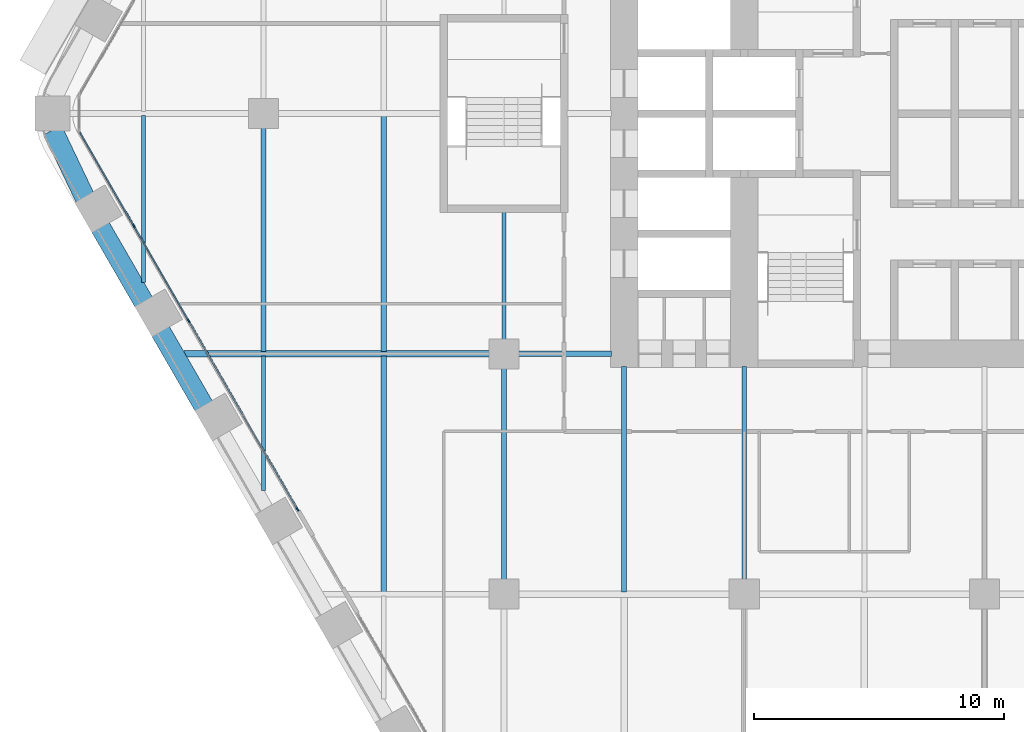
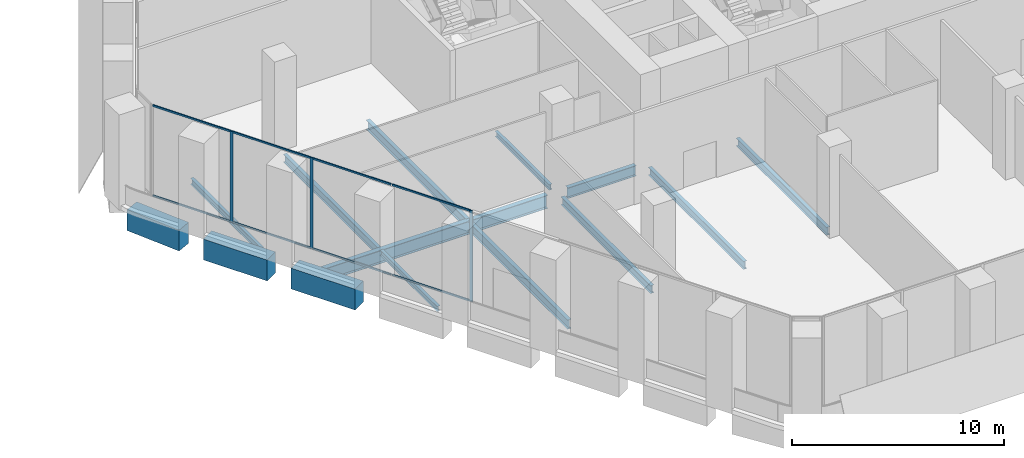
# One storey, part 3 of 30: 14 beams, 11 members, 1 element without a shape of its own.
"""IFC4 building model written with IfcOpenShell, lengths in metres."""

import ifcopenshell
import ifcopenshell.guid

model = None  # the IFC model being written
_history = None  # IfcOwnerHistory: only IFC2X3 demands one
_inside = {}  # id of a spatial element -> (the spatial element, [elements in it])
_under = {}  # id of a project, library or spatial element -> (it, [spatial elements below it])
_declared = {}  # id of a project -> (the project, [libraries it declares])
_typed = {}  # id of a type object -> (the type object, [elements of that type])
_made_of = {}  # id of a material, layer set ... -> (it, [elements and type objects made of it])


def new_model(schema):
    """Start an empty IFC model of exactly this schema.

    Asked for "IFC4X3", IfcOpenShell would pick the latest addendum, in which some entities
    have other attributes; the version numbers below select the first issue.
    IFC2X3 requires an IfcOwnerHistory on every rooted entity: one is made here for all.
    """
    global model, _history
    if schema == "IFC4X3":
        model = ifcopenshell.file(schema_version=(4, 3, 0, 0))
    else:
        model = ifcopenshell.file(schema=schema)
    _inside.clear()
    _under.clear()
    _declared.clear()
    _typed.clear()
    _made_of.clear()
    _history = None
    if model.schema == "IFC2X3":
        org = make("IfcOrganization", Name="unknown")
        user = make(
            "IfcPersonAndOrganization",
            ThePerson=make("IfcPerson", FamilyName="unknown"),
            TheOrganization=org,
        )
        app = make(
            "IfcApplication",
            ApplicationDeveloper=org,
            Version="unknown",
            ApplicationFullName="unknown",
            ApplicationIdentifier="unknown",
        )
        _history = make(
            "IfcOwnerHistory",
            OwningUser=user,
            OwningApplication=app,
            ChangeAction="ADDED",
            CreationDate=0,
        )
    return model


def make(cls, **values):
    """One entity of the class cls with the attributes given. An attribute that is None is left unset."""
    return model.create_entity(
        cls, **{name: value for name, value in values.items() if value is not None}
    )


def rooted(cls, **values):
    """An entity with a GlobalId (a new one), such as an element, a storey or a relation."""
    return make(cls, GlobalId=ifcopenshell.guid.new(), OwnerHistory=_history, **values)


def si_unit(unit_type, name, prefix=None):
    """IfcSIUnit, for example si_unit("LENGTHUNIT", "METRE", prefix="MILLI")."""
    return make("IfcSIUnit", UnitType=unit_type, Prefix=prefix, Name=name)


def assignment(units):
    """IfcUnitAssignment: the units of a project."""
    return None if units is None else make("IfcUnitAssignment", Units=units)


def point(xyz):
    """IfcCartesianPoint."""
    return None if xyz is None else make("IfcCartesianPoint", Coordinates=xyz)


def direction(xyz):
    """IfcDirection."""
    return None if xyz is None else make("IfcDirection", DirectionRatios=xyz)


def frame(location, z_axis=None, x_axis=None):
    """IfcAxis2Placement3D, a coordinate frame: its origin and axes. An axis left out is left unset."""
    return make(
        "IfcAxis2Placement3D",
        Location=point(location),
        Axis=direction(z_axis),
        RefDirection=direction(x_axis),
    )


def frame_2d(location, x_axis=None):
    """IfcAxis2Placement2D, a coordinate frame in the plane: its origin and x axis."""
    return make(
        "IfcAxis2Placement2D", Location=point(location), RefDirection=direction(x_axis)
    )


def origin():
    """The frame at (0, 0, 0) with its axes left unset."""
    return frame((0.0, 0.0, 0.0))


def origin_2d():
    """The frame at (0, 0) in the plane with its x axis left unset."""
    return frame_2d((0.0, 0.0))


def place(relative_to, where):
    """IfcLocalPlacement: puts the frame where relative to a parent placement (None: the world)."""
    return make(
        "IfcLocalPlacement", PlacementRelTo=relative_to, RelativePlacement=where
    )


def context(
    kind, dimensions, precision=None, world=None, true_north=None, identifier=None
):
    """IfcGeometricRepresentationContext, for example the 3D "Model" context."""
    return make(
        "IfcGeometricRepresentationContext",
        ContextIdentifier=identifier,
        ContextType=kind,
        CoordinateSpaceDimension=dimensions,
        Precision=precision,
        WorldCoordinateSystem=world,
        TrueNorth=true_north,
    )


def subcontext(parent, identifier, kind, view, scale=None):
    """IfcGeometricRepresentationSubContext, for example "Body" below "Model"."""
    return make(
        "IfcGeometricRepresentationSubContext",
        ContextIdentifier=identifier,
        ContextType=kind,
        ParentContext=parent,
        TargetScale=scale,
        TargetView=view,
    )


def project(units=None, contexts=None):
    """IfcProject with its units and contexts."""
    return rooted(
        "IfcProject",
        Name="project",
        RepresentationContexts=contexts,
        UnitsInContext=assignment(units),
    )


def spatial(cls, under=None, at=None, **own):
    """A site, building, storey or space (cls), placed at a placement, below another one or the project."""
    s = rooted(cls, ObjectPlacement=at, **own)
    if under is not None:
        _under.setdefault(under.id(), (under, []))[1].append(s)
    return s


def profile(cls, at=None, kind="AREA", **sizes):
    """A parametric profile (cls). Its sizes go by their IFC names, for example OverallWidth=200.0."""
    return make(cls, ProfileType=kind, Position=at, **sizes)


def rectangle(**sizes):
    """IfcRectangleProfileDef."""
    return profile("IfcRectangleProfileDef", **sizes)


def i_section(**sizes):
    """IfcIShapeProfileDef."""
    return profile("IfcIShapeProfileDef", **sizes)


def extrude(swept, where, along, depth):
    """IfcExtrudedAreaSolid: the profile swept, set in the frame where, extruded along a direction by depth."""
    return make(
        "IfcExtrudedAreaSolid",
        SweptArea=swept,
        Position=where,
        ExtrudedDirection=direction(along),
        Depth=depth,
    )


def shape(context_of_items, identifier, shape_type, items):
    """IfcShapeRepresentation: the items that make up one representation, for example the "Body"."""
    return make(
        "IfcShapeRepresentation",
        ContextOfItems=context_of_items,
        RepresentationIdentifier=identifier,
        RepresentationType=shape_type,
        Items=items,
    )


def material(Name=None, Category=None):
    """IfcMaterial."""
    return make("IfcMaterial", Name=Name, Category=Category)


def material_profile(
    of_material, cross_section, Name=None, Category=None, Priority=None
):
    """IfcMaterialProfile: a cross section and its material."""
    return make(
        "IfcMaterialProfile",
        Name=Name,
        Material=of_material,
        Profile=cross_section,
        Priority=Priority,
        Category=Category,
    )


def profile_set(profiles, Name=None, composite=None):
    """IfcMaterialProfileSet."""
    return make(
        "IfcMaterialProfileSet",
        Name=Name,
        MaterialProfiles=profiles,
        CompositeProfile=composite,
    )


def made_of(thing, what):
    """Note that an element or type object is made of a material, layer set ...; save() writes the relation."""
    if what is not None:
        _made_of.setdefault(what.id(), (what, []))[1].append(thing)
    return thing


def type_object(cls, material=None, **own):
    """A type object (cls), such as IfcWallType, which elements share."""
    return made_of(rooted(cls, **own), material)


def element(
    cls,
    number,
    at=None,
    inside=None,
    cuts=None,
    type_object=None,
    material=None,
    context=None,
    identifier="Body",
    shape_type=None,
    held_by="IfcProductDefinitionShape",
    body=None,
    shapes=None,
    **own,
):
    """One element of the class cls, such as IfcWall. Its Tag is "e" and its number.

    at: its placement. inside: the storey or other place that contains it. cuts: it is an
    opening in that element (IfcRelVoidsElement). A single representation is given by context,
    identifier, shape_type and body (its items); several are given by shapes. held_by: the class
    of the entity that holds the representations. save() writes the other relations.
    """
    e = rooted(cls, Tag="e%d" % number, ObjectPlacement=at, **own)
    if body is not None:
        shapes = [shape(context, identifier, shape_type, body)]
    if shapes is not None:
        e.Representation = make(held_by, Representations=shapes)
    if inside is not None:
        _inside.setdefault(inside.id(), (inside, []))[1].append(e)
    if cuts is not None:
        rooted(
            "IfcRelVoidsElement", RelatingBuildingElement=cuts, RelatedOpeningElement=e
        )
    if type_object is not None:
        _typed.setdefault(type_object.id(), (type_object, []))[1].append(e)
    return made_of(e, material)


def aggregate(whole, parts):
    """IfcRelAggregates: a whole, such as a stair, and the parts it consists of."""
    return rooted("IfcRelAggregates", RelatingObject=whole, RelatedObjects=parts)


def save(model, path):
    """Write the relations noted so far, then the file.

    IfcRelAggregates (storeys below a building ...), IfcRelContainedInSpatialStructure (elements
    in a storey), IfcRelDefinesByType, IfcRelAssociatesMaterial and IfcRelDeclares: one each for
    every whole, place, type object, material and project.
    """
    for whole, parts in _under.values():
        aggregate(whole, parts)
    for where, things in _inside.values():
        rooted(
            "IfcRelContainedInSpatialStructure",
            RelatedElements=things,
            RelatingStructure=where,
        )
    for kind, things in _typed.values():
        rooted("IfcRelDefinesByType", RelatedObjects=things, RelatingType=kind)
    for what, things in _made_of.values():
        rooted("IfcRelAssociatesMaterial", RelatedObjects=things, RelatingMaterial=what)
    for by, libraries in _declared.values():
        rooted("IfcRelDeclares", RelatingContext=by, RelatedDefinitions=libraries)
    model.write(path)


model = new_model("IFC4")

# Units and contexts
model_context = context("Model", 3, precision=1e-05, world=origin(), true_north=direction((0.0, 1.0)))
body_context = subcontext(model_context, "Body", "Model", "MODEL_VIEW")
ifc_project = project(units=[si_unit("LENGTHUNIT", "METRE"), si_unit("AREAUNIT", "SQUARE_METRE"), si_unit("VOLUMEUNIT", "CUBIC_METRE"), si_unit("PLANEANGLEUNIT", "RADIAN"), si_unit("MASSUNIT", "GRAM", prefix="KILO")], contexts=[model_context])

# Site, building, storey
site_placement = place(None, origin())
site = spatial("IfcSite", under=ifc_project, at=site_placement, CompositionType="ELEMENT")
building_placement = place(site_placement, origin())
building = spatial("IfcBuilding", under=site, at=building_placement, Name="Kolab Exchange Tower", CompositionType="ELEMENT")
storey_placement = place(building_placement, frame((0.0, 0.0, 38.89990234375)))
storey = spatial("IfcBuildingStorey", under=building, at=storey_placement, Name="L07", CompositionType="ELEMENT", Elevation=38.89990234375)

# Beams
ifc_material_1 = material(Name="Steel S355", Category="steel")
ifc_material_profile_1 = material_profile(ifc_material_1, i_section(OverallWidth=0.1650390625, OverallDepth=0.31005859375, WebThickness=0.005859375, FlangeThickness=0.009765625, at=origin_2d()), Name="W310X39")
ifc_profile_set_1 = profile_set([ifc_material_profile_1], Name="Steel S355")
beam_type_1 = type_object("IfcBeamType", Name="FLOOR BEAM W310X39", PredefinedType="BEAM", material=ifc_profile_set_1)
beam_1_placement = place(storey_placement, frame((-28.800048828125, -15.067626953125, -0.40478515625), z_axis=(0.0, 1.0, 0.0), x_axis=(-1.0, 0.0, 0.0)))
element("IfcBeam", 1, at=beam_1_placement, inside=storey, type_object=beam_type_1, Name="beam/L07/fr/002", PredefinedType="BEAM", context=body_context, shape_type="SweptSolid", body=[
    extrude(i_section(OverallWidth=0.1650390625, OverallDepth=0.31005859375, WebThickness=0.005859375, FlangeThickness=0.009765625, at=origin_2d()), origin(), (0.0, 0.0, 1.0), 5.3740234375),
])
beam_2_placement = place(storey_placement, frame((-19.199951171875, -9.0400390625, -0.40478515625), z_axis=(0.0, 1.0, 0.0), x_axis=(-1.0, 0.0, 0.0)))
element("IfcBeam", 2, at=beam_2_placement, inside=storey, type_object=beam_type_1, Name="beam/L07/fr/014", PredefinedType="BEAM", context=body_context, shape_type="SweptSolid", body=[
    extrude(i_section(OverallWidth=0.1650390625, OverallDepth=0.31005859375, WebThickness=0.005859375, FlangeThickness=0.009765625, at=origin_2d()), origin(), (0.0, 0.0, 1.0), 5.130126953125),
])
ifc_material_profile_2 = material_profile(ifc_material_1, i_section(OverallWidth=0.1708984375, OverallDepth=0.35498046875, WebThickness=0.007080078125, FlangeThickness=0.01171875, at=origin_2d()), Name="W360X51")
ifc_profile_set_2 = profile_set([ifc_material_profile_2], Name="Steel S355")
beam_type_2 = type_object("IfcBeamType", Name="FLOOR BEAM W360X51", PredefinedType="BEAM", material=ifc_profile_set_2)
beam_3_placement = place(storey_placement, frame((-33.60009765625, -6.75390625, -0.427490234375), z_axis=(0.0, 1.0, 0.0), x_axis=(-1.0, 0.0, 0.0)))
element("IfcBeam", 3, at=beam_3_placement, inside=storey, type_object=beam_type_2, Name="beam/L07/fr/000", PredefinedType="BEAM", context=body_context, shape_type="SweptSolid", body=[
    extrude(i_section(OverallWidth=0.1708984375, OverallDepth=0.35498046875, WebThickness=0.007080078125, FlangeThickness=0.01171875, at=origin_2d()), origin(), (0.0, 0.0, 1.0), 6.679931640625),
])
ifc_material_profile_3 = material_profile(ifc_material_1, i_section(OverallWidth=0.18994140625, OverallDepth=0.45703125, WebThickness=0.009033203125, FlangeThickness=0.014404296875, at=origin_2d()), Name="W460X74")
ifc_profile_set_3 = profile_set([ifc_material_profile_3], Name="Steel S355")
beam_type_3 = type_object("IfcBeamType", Name="FLOOR BEAM W460X74", PredefinedType="BEAM", material=ifc_profile_set_3)
beam_4_placement = place(storey_placement, frame((-28.800048828125, -9.506591796875, -0.478515625), z_axis=(0.0, 1.0, 0.0), x_axis=(-1.0, 0.0, 0.0)))
element("IfcBeam", 4, at=beam_4_placement, inside=storey, type_object=beam_type_3, Name="beam/L07/fr/003", PredefinedType="BEAM", context=body_context, shape_type="SweptSolid", body=[
    extrude(i_section(OverallWidth=0.18994140625, OverallDepth=0.45703125, WebThickness=0.009033203125, FlangeThickness=0.014404296875, at=origin_2d()), origin(), (0.0, 0.0, 1.0), 8.946533203125),
])
beam_5_placement = place(storey_placement, frame((-19.199951171875, -18.639892578125, -0.478515625), z_axis=(0.0, 1.0, 0.0), x_axis=(-1.0, 0.0, 0.0)))
element("IfcBeam", 5, at=beam_5_placement, inside=storey, type_object=beam_type_3, Name="beam/L07/fr/013", PredefinedType="BEAM", context=body_context, shape_type="SweptSolid", body=[
    extrude(i_section(OverallWidth=0.18994140625, OverallDepth=0.45703125, WebThickness=0.009033203125, FlangeThickness=0.014404296875, at=origin_2d()), origin(), (0.0, 0.0, 1.0), 8.47998046875),
])
beam_6_placement = place(storey_placement, frame((-14.39990234375, -19.113037109375, -0.478515625), z_axis=(0.0, 1.0, 0.0), x_axis=(-1.0, 0.0, 0.0)))
element("IfcBeam", 6, at=beam_6_placement, inside=storey, type_object=beam_type_3, Name="beam/L07/fr/019", PredefinedType="BEAM", context=body_context, shape_type="SweptSolid", body=[
    extrude(i_section(OverallWidth=0.18994140625, OverallDepth=0.45703125, WebThickness=0.009033203125, FlangeThickness=0.014404296875, at=origin_2d()), origin(), (0.0, 0.0, 1.0), 9.0029296875),
])
beam_7_placement = place(storey_placement, frame((-9.60009765625, -18.639892578125, -0.478515625), z_axis=(0.0, 1.0, 0.0), x_axis=(-1.0, 0.0, 0.0)))
element("IfcBeam", 7, at=beam_7_placement, inside=storey, type_object=beam_type_3, Name="beam/L07/fr/023", PredefinedType="BEAM", context=body_context, shape_type="SweptSolid", body=[
    extrude(i_section(OverallWidth=0.18994140625, OverallDepth=0.45703125, WebThickness=0.009033203125, FlangeThickness=0.014404296875, at=origin_2d()), origin(), (0.0, 0.0, 1.0), 8.52978515625),
])
ifc_material_profile_4 = material_profile(ifc_material_1, i_section(OverallWidth=0.208984375, OverallDepth=0.532958984375, WebThickness=0.01025390625, FlangeThickness=0.015625, at=origin_2d()), Name="W530X92")
ifc_profile_set_4 = profile_set([ifc_material_profile_4], Name="Steel S355")
beam_type_4 = type_object("IfcBeamType", Name="FLOOR BEAM W530X92", PredefinedType="BEAM", material=ifc_profile_set_4)
beam_8_placement = place(storey_placement, frame((-24.0, -19.1259765625, -0.516357421875), z_axis=(0.0, 1.0, 0.0), x_axis=(-1.0, 0.0, 0.0)))
element("IfcBeam", 8, at=beam_8_placement, inside=storey, type_object=beam_type_4, Name="beam/L07/fr/007", PredefinedType="BEAM", context=body_context, shape_type="SweptSolid", body=[
    extrude(i_section(OverallWidth=0.208984375, OverallDepth=0.532958984375, WebThickness=0.01025390625, FlangeThickness=0.015625, at=origin_2d()), origin(), (0.0, 0.0, 1.0), 9.432373046875),
])
beam_9_placement = place(storey_placement, frame((-24.0, -9.506591796875, -0.516357421875), z_axis=(0.0, 1.0, 0.0), x_axis=(-1.0, 0.0, 0.0)))
element("IfcBeam", 9, at=beam_9_placement, inside=storey, type_object=beam_type_4, Name="beam/L07/fr/008", PredefinedType="BEAM", context=body_context, shape_type="SweptSolid", body=[
    extrude(i_section(OverallWidth=0.208984375, OverallDepth=0.532958984375, WebThickness=0.01025390625, FlangeThickness=0.015625, at=origin_2d()), origin(), (0.0, 0.0, 1.0), 9.4326171875),
])
ifc_material_profile_5 = material_profile(ifc_material_1, i_section(OverallWidth=0.22802734375, OverallDepth=0.60791015625, WebThickness=0.01123046875, FlangeThickness=0.017333984375, at=origin_2d()), Name="W610X113")
ifc_profile_set_5 = profile_set([ifc_material_profile_5], Name="Steel S355")
beam_type_5 = type_object("IfcBeamType", Name="FLOOR GIRDER W610X113", PredefinedType="BEAM", material=ifc_profile_set_5)
beam_10_placement = place(storey_placement, frame((-18.639892578125, -9.60009765625, -0.553955078125), z_axis=(1.0, 0.0, 0.0), x_axis=(0.0, 1.0, 0.0)))
element("IfcBeam", 10, at=beam_10_placement, inside=storey, type_object=beam_type_5, Name="beam/L07/gd/007", PredefinedType="BEAM", context=body_context, shape_type="SweptSolid", body=[
    extrude(i_section(OverallWidth=0.22802734375, OverallDepth=0.60791015625, WebThickness=0.01123046875, FlangeThickness=0.017333984375, at=origin_2d()), origin(), (0.0, 0.0, 1.0), 3.72998046875),
])
ifc_material_profile_6 = material_profile(ifc_material_1, i_section(OverallWidth=0.26708984375, OverallDepth=0.761962890625, WebThickness=0.014404296875, FlangeThickness=0.021484375, at=origin_2d()), Name="W760X173")
ifc_profile_set_6 = profile_set([ifc_material_profile_6], Name="Steel S355")
beam_type_6 = type_object("IfcBeamType", Name="FLOOR GIRDER W760X173", PredefinedType="BEAM", material=ifc_profile_set_6)
beam_11_placement = place(storey_placement, frame((-31.9736328125, -9.60009765625, -0.630859375), z_axis=(1.0, 0.0, 0.0), x_axis=(0.0, 1.0, 0.0)))
element("IfcBeam", 11, at=beam_11_placement, inside=storey, type_object=beam_type_6, Name="beam/L07/gd/001", PredefinedType="BEAM", context=body_context, shape_type="SweptSolid", body=[
    extrude(i_section(OverallWidth=0.26708984375, OverallDepth=0.761962890625, WebThickness=0.014404296875, FlangeThickness=0.021484375, at=origin_2d()), origin(), (0.0, 0.0, 1.0), 12.213623046875),
])
ifc_material_2 = material(Name="Concrete C80/95", Category="concrete")
ifc_material_profile_7 = material_profile(ifc_material_2, rectangle(XDim=0.800048828125, YDim=1.199951171875, at=origin_2d()), Name="RC800X1200")
ifc_profile_set_7 = profile_set([ifc_material_profile_7], Name="Concrete C80/95")
beam_type_7 = type_object("IfcBeamType", Name="SPANDREL BEAM 800X1200 C80/95", PredefinedType="BEAM", material=ifc_profile_set_7)
beam_12_placement = place(storey_placement, frame((-31.18359375, -11.69921875, -0.849853515625), z_axis=(-0.499979528911, 0.866037222451, 0.0), x_axis=(-0.866037222451, -0.499979528911, 0.0)))
element("IfcBeam", 12, at=beam_12_placement, inside=storey, type_object=beam_type_7, Name="beam/L07/sp/F5-06", PredefinedType="BEAM", context=body_context, shape_type="SweptSolid", body=[
    extrude(rectangle(XDim=0.800048828125, YDim=1.199951171875, at=origin_2d()), origin(), (0.0, 0.0, 1.0), 3.480224609375),
])
beam_13_placement = place(storey_placement, frame((-33.58349609375, -7.542236328125, -0.849853515625), z_axis=(-0.500009906705, 0.86601968407, 0.0), x_axis=(-0.86601968407, -0.500009906705, 0.0)))
element("IfcBeam", 13, at=beam_13_placement, inside=storey, type_object=beam_type_7, Name="beam/L07/sp/F5-07", PredefinedType="BEAM", context=body_context, shape_type="SweptSolid", body=[
    extrude(rectangle(XDim=0.800048828125, YDim=1.199951171875, at=origin_2d()), origin(), (0.0, 0.0, 1.0), 3.47998046875),
])
beam_14_placement = place(storey_placement, frame((-35.93798828125, -3.35888671875, -0.849853515625), z_axis=(-0.429555669245, 0.903040379507, 0.0), x_axis=(-0.903040379507, -0.429555669245, 0.0)))
element("IfcBeam", 14, at=beam_14_placement, inside=storey, type_object=beam_type_7, Name="beam/L07/sp/F5-08", PredefinedType="BEAM", context=body_context, shape_type="SweptSolid", body=[
    extrude(rectangle(XDim=0.800048828125, YDim=1.199951171875, at=origin_2d()), origin(), (0.0, 0.0, 1.0), 2.984375),
])

# Curtain wall, members
ifc_material_3 = material(Name="Aluminium EN AW-6063 T6", Category="aluminium")
curtain_wall_type = type_object("IfcCurtainWallType", Name="UNITISED LOW ZONE CURTAIN WALL", PredefinedType="NOTDEFINED", material=ifc_material_3)
curtain_wall_placement = place(storey_placement, origin())
curtain_wall = element("IfcCurtainWall", 15, at=curtain_wall_placement, inside=storey, type_object=curtain_wall_type, Name="cw/L07/F5-2", PredefinedType="NOTDEFINED")
ifc_material_profile_8 = material_profile(ifc_material_3, rectangle(XDim=0.06005859375, YDim=0.159912109375, at=origin_2d()), Name="RECT 60X160")
ifc_profile_set_8 = profile_set([ifc_material_profile_8], Name="Aluminium EN AW-6063 T6")
member_type_1 = type_object("IfcMemberType", Name="UNITISED LOW ZONE MULLION 60 X 160", PredefinedType="MULLION", material=ifc_profile_set_8)
member_1_placement = place(storey_placement, frame((-27.44677734375, -15.811767578125, 0.0), z_axis=(0.0, 0.0, 1.0), x_axis=(-0.866025422102, -0.499999968274, 0.0)))
member_1 = element("IfcMember", 16, at=member_1_placement, type_object=member_type_1, Name="CW1 mullion 1", PredefinedType="MULLION", context=body_context, shape_type="SweptSolid", body=[
    extrude(rectangle(XDim=0.06005859375, YDim=0.159912109375, at=origin_2d()), origin(), (0.0, 0.0, 1.0), 5.25),
])
member_2_placement = place(storey_placement, frame((-31.798583984375, -8.27392578125, 0.0), z_axis=(0.0, 0.0, 1.0), x_axis=(-0.866025422102, -0.499999968274, 0.0)))
member_2 = element("IfcMember", 17, at=member_2_placement, type_object=member_type_1, Name="CW1 mullion 3", PredefinedType="MULLION", context=body_context, shape_type="SweptSolid", body=[
    extrude(rectangle(XDim=0.06005859375, YDim=0.159912109375, at=origin_2d()), origin(), (0.0, 0.0, 1.0), 5.25),
])
member_3_placement = place(storey_placement, frame((-33.982177734375, -4.491943359375, 0.0), z_axis=(0.0, 0.0, 1.0), x_axis=(-0.866025422102, -0.499999968274, 0.0)))
member_3 = element("IfcMember", 18, at=member_3_placement, type_object=member_type_1, Name="CW1 mullion 4", PredefinedType="MULLION", context=body_context, shape_type="SweptSolid", body=[
    extrude(rectangle(XDim=0.06005859375, YDim=0.159912109375, at=origin_2d()), origin(), (0.0, 0.0, 1.0), 5.25),
])
ifc_material_profile_9 = material_profile(ifc_material_3, rectangle(XDim=0.06005859375, YDim=0.10009765625, at=origin_2d()), Name="RECT 60X100")
ifc_profile_set_9 = profile_set([ifc_material_profile_9], Name="Aluminium EN AW-6063 T6")
member_type_2 = type_object("IfcMemberType", Name="UNITISED LOW ZONE TRANSOM 60 X 100", PredefinedType="USERDEFINED", material=ifc_profile_set_9)
member_4_placement = place(storey_placement, frame((-27.461669921875, -15.78564453125, 0.030029296875), z_axis=(-0.500000816281, 0.866024932504, 0.0), x_axis=(-0.866024932504, -0.500000816281, 0.0)))
member_4 = element("IfcMember", 19, at=member_4_placement, type_object=member_type_2, Name="CW1 transom 1.1", ObjectType="TRANSOM", PredefinedType="USERDEFINED", context=body_context, shape_type="SweptSolid", body=[
    extrude(rectangle(XDim=0.06005859375, YDim=0.10009765625, at=origin_2d()), origin(), (0.0, 0.0, 1.0), 4.27685546875),
])
member_5_placement = place(storey_placement, frame((-27.461669921875, -15.78564453125, 5.22021484375), z_axis=(-0.500000816281, 0.866024932504, 0.0), x_axis=(-0.866024932504, -0.500000816281, 0.0)))
member_5 = element("IfcMember", 20, at=member_5_placement, type_object=member_type_2, Name="CW1 transom 1.2", ObjectType="TRANSOM", PredefinedType="USERDEFINED", context=body_context, shape_type="SweptSolid", body=[
    extrude(rectangle(XDim=0.06005859375, YDim=0.10009765625, at=origin_2d()), origin(), (0.0, 0.0, 1.0), 4.27685546875),
])
member_6_placement = place(storey_placement, frame((-29.630126953125, -12.02978515625, 0.030029296875), z_axis=(-0.500010313095, 0.866019449435, 0.0), x_axis=(-0.866019449435, -0.500010313095, 0.0)))
member_6 = element("IfcMember", 21, at=member_6_placement, type_object=member_type_2, Name="CW1 transom 2.1", ObjectType="TRANSOM", PredefinedType="USERDEFINED", context=body_context, shape_type="SweptSolid", body=[
    extrude(rectangle(XDim=0.06005859375, YDim=0.10009765625, at=origin_2d()), origin(), (0.0, 0.0, 1.0), 4.30712890625),
])
member_7_placement = place(storey_placement, frame((-29.630126953125, -12.02978515625, 5.22021484375), z_axis=(-0.500010313095, 0.866019449435, 0.0), x_axis=(-0.866019449435, -0.500010313095, 0.0)))
member_7 = element("IfcMember", 22, at=member_7_placement, type_object=member_type_2, Name="CW1 transom 2.2", ObjectType="TRANSOM", PredefinedType="USERDEFINED", context=body_context, shape_type="SweptSolid", body=[
    extrude(rectangle(XDim=0.06005859375, YDim=0.10009765625, at=origin_2d()), origin(), (0.0, 0.0, 1.0), 4.30712890625),
])
member_8_placement = place(storey_placement, frame((-31.813720703125, -8.247802734375, 0.030029296875), z_axis=(-0.499967798808, 0.866043994353, 0.0), x_axis=(-0.866043994353, -0.499967798808, 0.0)))
member_8 = element("IfcMember", 23, at=member_8_placement, type_object=member_type_2, Name="CW1 transom 3.1", ObjectType="TRANSOM", PredefinedType="USERDEFINED", context=body_context, shape_type="SweptSolid", body=[
    extrude(rectangle(XDim=0.06005859375, YDim=0.10009765625, at=origin_2d()), origin(), (0.0, 0.0, 1.0), 4.306884765625),
])
member_9_placement = place(storey_placement, frame((-31.813720703125, -8.247802734375, 5.22021484375), z_axis=(-0.499967798808, 0.866043994353, 0.0), x_axis=(-0.866043994353, -0.499967798808, 0.0)))
member_9 = element("IfcMember", 24, at=member_9_placement, type_object=member_type_2, Name="CW1 transom 3.2", ObjectType="TRANSOM", PredefinedType="USERDEFINED", context=body_context, shape_type="SweptSolid", body=[
    extrude(rectangle(XDim=0.06005859375, YDim=0.10009765625, at=origin_2d()), origin(), (0.0, 0.0, 1.0), 4.306884765625),
])
member_10_placement = place(storey_placement, frame((-33.9970703125, -4.4658203125, 0.030029296875), z_axis=(-0.500043627578, 0.866000213925, 0.0), x_axis=(-0.866000213925, -0.500043627578, 0.0)))
member_10 = element("IfcMember", 25, at=member_10_placement, type_object=member_type_2, Name="CW1 transom 4.1", ObjectType="TRANSOM", PredefinedType="USERDEFINED", context=body_context, shape_type="SweptSolid", body=[
    extrude(rectangle(XDim=0.06005859375, YDim=0.10009765625, at=origin_2d()), origin(), (0.0, 0.0, 1.0), 4.27685546875),
])
member_11_placement = place(storey_placement, frame((-33.9970703125, -4.4658203125, 5.22021484375), z_axis=(-0.500043627578, 0.866000213925, 0.0), x_axis=(-0.866000213925, -0.500043627578, 0.0)))
member_11 = element("IfcMember", 26, at=member_11_placement, type_object=member_type_2, Name="CW1 transom 4.2", ObjectType="TRANSOM", PredefinedType="USERDEFINED", context=body_context, shape_type="SweptSolid", body=[
    extrude(rectangle(XDim=0.06005859375, YDim=0.10009765625, at=origin_2d()), origin(), (0.0, 0.0, 1.0), 4.27685546875),
])
aggregate(curtain_wall, [member_1, member_2, member_3, member_4, member_5, member_6, member_7, member_8, member_9, member_10, member_11])

save(model, "model.ifc")
